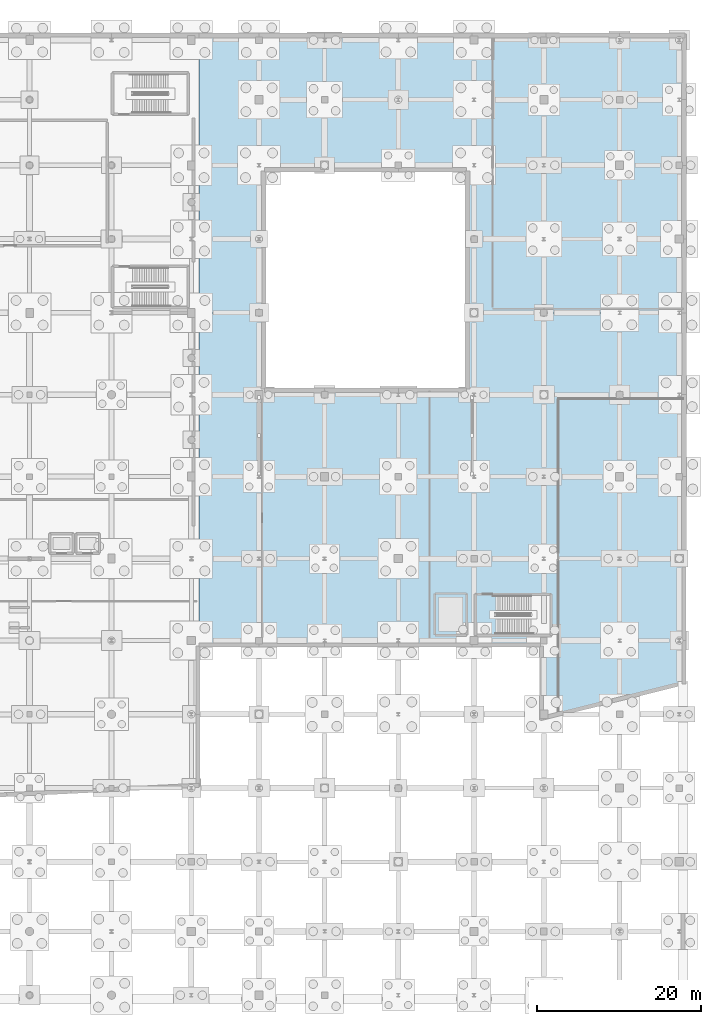
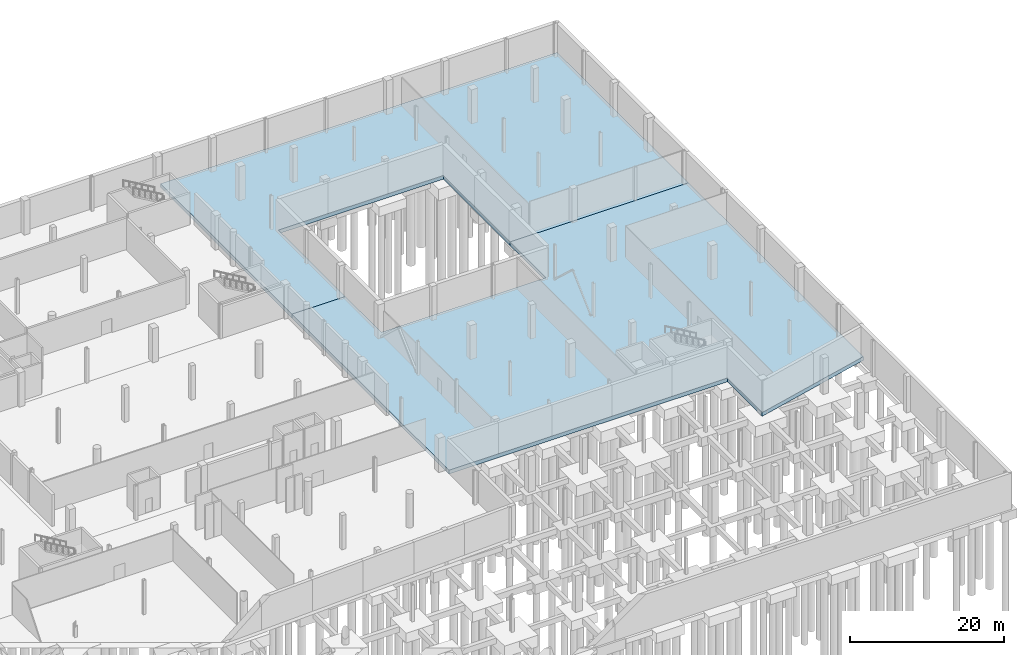
# One storey, part 39 of 60: 2 slabs.
"""IFC4 building model written with IfcOpenShell, lengths in metres."""

from ifc_helpers import new_model, si_unit, direction, frame, origin, place, context, subcontext, project, spatial, polyline, outline, extrude, material, layer, layer_set, type_object, element, save


model = new_model("IFC4")

# Units and contexts
model_context = context("Model", 3, precision=1e-05, world=origin(), true_north=direction((0.0, 1.0)))
body_context = subcontext(model_context, "Body", "Model", "MODEL_VIEW")
ifc_project = project(units=[si_unit("LENGTHUNIT", "METRE"), si_unit("AREAUNIT", "SQUARE_METRE"), si_unit("VOLUMEUNIT", "CUBIC_METRE"), si_unit("PLANEANGLEUNIT", "RADIAN"), si_unit("MASSUNIT", "GRAM", prefix="KILO")], contexts=[model_context])

# Site, building, storey
site_placement = place(None, origin())
site = spatial("IfcSite", under=ifc_project, at=site_placement, CompositionType="ELEMENT")
building_placement = place(site_placement, origin())
building = spatial("IfcBuilding", under=site, at=building_placement, Name="Trimount Lyric Opera House", CompositionType="ELEMENT")
storey_placement = place(building_placement, frame((0.0, 0.0, -5.39990234375)))
storey = spatial("IfcBuildingStorey", under=building, at=storey_placement, Name="B1", CompositionType="ELEMENT", Elevation=-5.39990234375)

# Slabs
ifc_material = material(Name="Concrete C40/50", Category="concrete")
ifc_layer = layer(ifc_material, 0.60009765625)
ifc_layer_set = layer_set([ifc_layer], Name="SL-BS600")
slab_type = type_object("IfcSlabType", Name="SL-BS600", PredefinedType="BASESLAB", material=ifc_layer_set)
slab_1_placement = place(storey_placement, frame((0.0, 0.0, -0.60009765625)))
element("IfcSlab", 1, at=slab_1_placement, inside=storey, type_object=slab_type, Name="B1 floor slab B1-EAST-S", PredefinedType="BASESLAB", context=body_context, shape_type="SweptSolid", body=[
    extrude(outline(polyline([(174.0, 38.719970703125), (156.320068359375, 34.320068359375), (156.320068359375, 43.320068359375), (114.679931640625, 43.320068359375), (114.679931640625, 84.0), (122.679931640625, 84.0), (122.679931640625, 74.679931640625), (147.320068359375, 74.679931640625), (147.320068359375, 84.0), (174.0, 84.0), (174.0, 38.719970703125)])), origin(), (0.0, 0.0, 1.0), 0.60009765625),
])
slab_2_placement = place(storey_placement, frame((0.0, 0.0, -0.60009765625)))
element("IfcSlab", 2, at=slab_2_placement, inside=storey, type_object=slab_type, Name="B1 floor slab B1-EAST-N", PredefinedType="BASESLAB", context=body_context, shape_type="SweptSolid", body=[
    extrude(outline(polyline([(114.679931640625, 118.0), (174.0, 118.0), (174.0, 84.0), (147.320068359375, 84.0), (147.320068359375, 101.320068359375), (122.679931640625, 101.320068359375), (122.679931640625, 84.0), (114.679931640625, 84.0), (114.679931640625, 118.0)])), origin(), (0.0, 0.0, 1.0), 0.60009765625),
])

save(model, "model.ifc")
